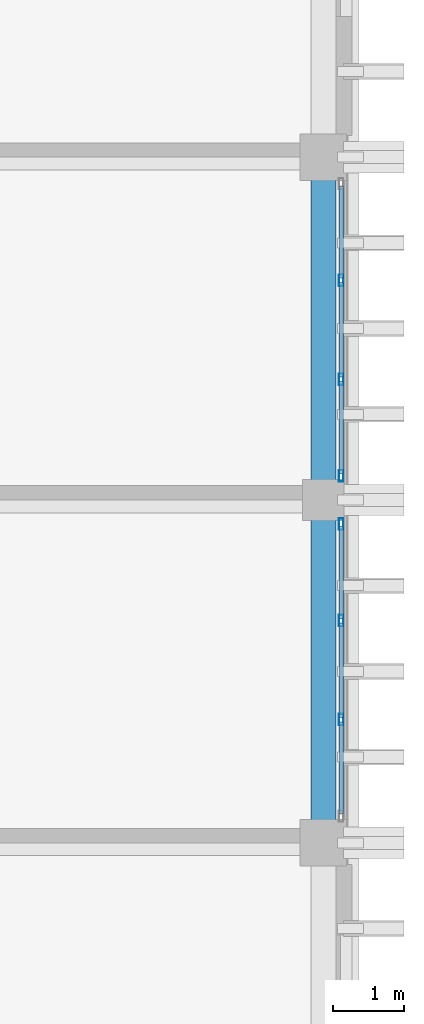
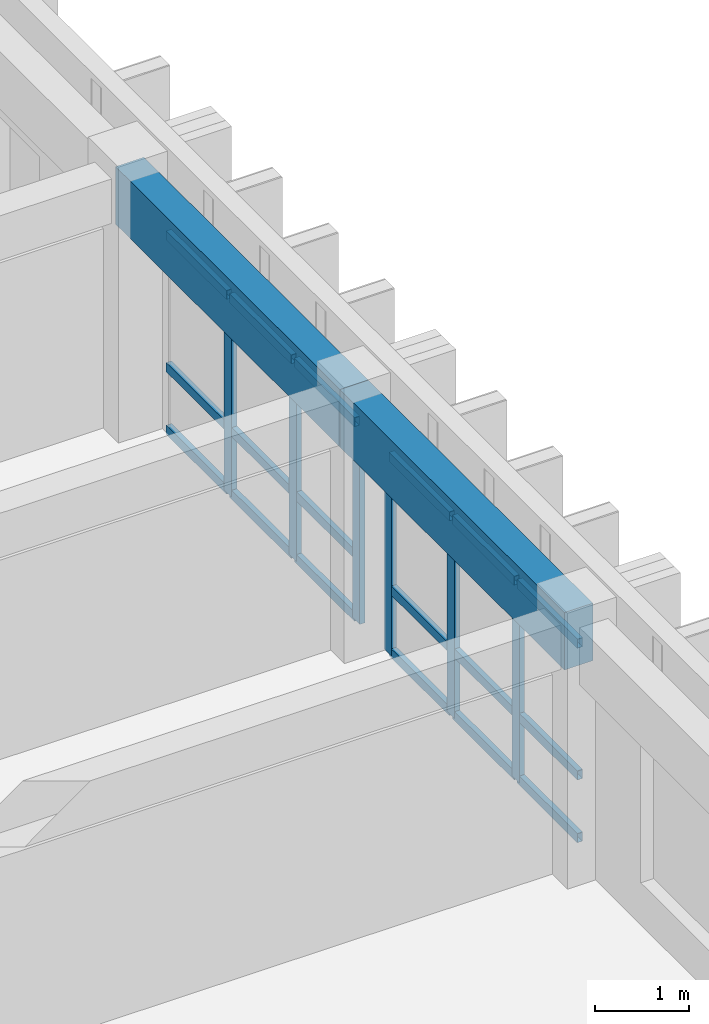
# One storey, part 23 of 49: 24 members, 2 beams, 2 elements without a shape of their own.
"""IFC4 building model written with IfcOpenShell, lengths in metres."""

from ifc_helpers import new_model, si_unit, direction, frame, origin, origin_2d, place, context, subcontext, project, spatial, rectangle, hollow_rectangle, extrude, material, layer, layer_set, material_profile, profile_set, type_object, element, aggregate, save


model = new_model("IFC4")

# Units and contexts
model_context = context("Model", 3, precision=1e-05, world=origin(), true_north=direction((0.0, 1.0)))
body_context = subcontext(model_context, "Body", "Model", "MODEL_VIEW")
ifc_project = project(units=[si_unit("LENGTHUNIT", "METRE"), si_unit("AREAUNIT", "SQUARE_METRE"), si_unit("VOLUMEUNIT", "CUBIC_METRE"), si_unit("PLANEANGLEUNIT", "RADIAN"), si_unit("MASSUNIT", "GRAM", prefix="KILO")], contexts=[model_context])

# Site, building, storey
site_placement = place(None, origin())
site = spatial("IfcSite", under=ifc_project, at=site_placement, CompositionType="ELEMENT")
building_placement = place(site_placement, origin())
building = spatial("IfcBuilding", under=site, at=building_placement, Name="Nakhvara Creek Congress Hotel", CompositionType="ELEMENT")
storey_placement = place(building_placement, frame((0.0, 0.0, 39.0)))
storey = spatial("IfcBuildingStorey", under=building, at=storey_placement, Name="L09", CompositionType="ELEMENT", Elevation=39.0)

# Beams
ifc_material_1 = material(Name="Concrete C40/50", Category="concrete")
ifc_material_profile_1 = material_profile(ifc_material_1, rectangle(XDim=0.35009765625, YDim=0.75, at=origin_2d()), Name="RC-SPANDREL 350x750", Category="LoadBearing")
ifc_profile_set_1 = profile_set([ifc_material_profile_1], Name="Concrete C40/50")
beam_type = type_object("IfcBeamType", Name="BM-SPN-350X750", PredefinedType="SPANDREL", material=ifc_profile_set_1)
for number, where, z_axis, x_axis, name in (
    (1, (179.35009765625, 86.39990234375, 2.985107421875), (0.0, 1.0, 0.0), (-1.0, 0.0, 0.0), "Beam SP1-L09-2603"),
    (2, (179.35009765625, 91.199951171875, 2.985107421875), (0.0, 1.0, 0.0), (-1.0, 0.0, 0.0), "Beam SP1-L09-2604"),
):
    element("IfcBeam", number, at=place(storey_placement, frame(where, z_axis=z_axis, x_axis=x_axis)), inside=storey, type_object=beam_type, Name=name, PredefinedType="SPANDREL", context=body_context, shape_type="SweptSolid", body=[
        extrude(rectangle(XDim=0.35009765625, YDim=0.75, at=origin_2d()), origin(), (0.0, 0.0, 1.0), 4.800048828125),
    ])

# Curtain wall, members
ifc_material_2 = material(Name="Bronze-anodised aluminium AW-6063-T6 and double-silver low-E glass", Category="aluminium")
ifc_layer = layer(ifc_material_2, 0.199951171875)
ifc_layer_set = layer_set([ifc_layer], Name="Bronze-anodised aluminium AW-6063-T6 and double-silver low-E glass")
curtain_wall_type = type_object("IfcCurtainWallType", Name="CW-HTL-UNIT", PredefinedType="USERDEFINED", material=ifc_layer_set)
curtain_wall_1_placement = place(storey_placement, origin())
curtain_wall_1 = element("IfcCurtainWall", 3, at=curtain_wall_1_placement, inside=storey, type_object=curtain_wall_type, Name="Curtain Wall CW303", ObjectType="UNITISED", PredefinedType="USERDEFINED")
ifc_material_3 = material(Name="Bronze-anodised aluminium AW-6063-T6", Category="aluminium")
ifc_material_profile_2 = material_profile(ifc_material_3, hollow_rectangle(XDim=0.06494140625, YDim=0.159912109375, WallThickness=0.00390625, at=origin_2d()), Name="ALU-MULL 65x160x4", Category="LoadBearing")
ifc_profile_set_2 = profile_set([ifc_material_profile_2], Name="Bronze-anodised aluminium AW-6063-T6")
member_type_1 = type_object("IfcMemberType", Name="CW-MULL-160", PredefinedType="MULLION", material=ifc_profile_set_2)
member_1_placement = place(storey_placement, frame((179.60009765625, 90.862548828125, 0.0), z_axis=(0.0, 0.0, 1.0), x_axis=(1.0, 0.0, 0.0)))
member_1 = element("IfcMember", 4, at=member_1_placement, type_object=member_type_1, Name="CW303 mullion 1", PredefinedType="MULLION", context=body_context, shape_type="SweptSolid", body=[
    extrude(hollow_rectangle(XDim=0.06494140625, YDim=0.159912109375, WallThickness=0.00390625, at=origin_2d()), origin(), (0.0, 0.0, 1.0), 2.60205078125),
])
member_2_placement = place(storey_placement, frame((179.60009765625, 89.510009765625, 0.0), z_axis=(0.0, 0.0, 1.0), x_axis=(1.0, 0.0, 0.0)))
member_2 = element("IfcMember", 5, at=member_2_placement, type_object=member_type_1, Name="CW303 mullion 2", PredefinedType="MULLION", context=body_context, shape_type="SweptSolid", body=[
    extrude(hollow_rectangle(XDim=0.06494140625, YDim=0.159912109375, WallThickness=0.00390625, at=origin_2d()), origin(), (0.0, 0.0, 1.0), 2.60205078125),
])
member_3_placement = place(storey_placement, frame((179.60009765625, 88.125, 0.0), z_axis=(0.0, 0.0, 1.0), x_axis=(1.0, 0.0, 0.0)))
member_3 = element("IfcMember", 6, at=member_3_placement, type_object=member_type_1, Name="CW303 mullion 3", PredefinedType="MULLION", context=body_context, shape_type="SweptSolid", body=[
    extrude(hollow_rectangle(XDim=0.06494140625, YDim=0.159912109375, WallThickness=0.00390625, at=origin_2d()), origin(), (0.0, 0.0, 1.0), 2.60205078125),
])

curtain_wall_2_placement = place(storey_placement, origin())
curtain_wall_2 = element("IfcCurtainWall", 7, at=curtain_wall_2_placement, inside=storey, type_object=curtain_wall_type, Name="Curtain Wall CW305", ObjectType="UNITISED", PredefinedType="USERDEFINED")
member_4_placement = place(storey_placement, frame((179.60009765625, 94.27490234375, 0.0), z_axis=(0.0, 0.0, 1.0), x_axis=(1.0, 0.0, 0.0)))
member_4 = element("IfcMember", 8, at=member_4_placement, type_object=member_type_1, Name="CW305 mullion 2", PredefinedType="MULLION", context=body_context, shape_type="SweptSolid", body=[
    extrude(hollow_rectangle(XDim=0.06494140625, YDim=0.159912109375, WallThickness=0.00390625, at=origin_2d()), origin(), (0.0, 0.0, 1.0), 2.60205078125),
])
member_5_placement = place(storey_placement, frame((179.60009765625, 92.889892578125, 0.0), z_axis=(0.0, 0.0, 1.0), x_axis=(1.0, 0.0, 0.0)))
member_5 = element("IfcMember", 9, at=member_5_placement, type_object=member_type_1, Name="CW305 mullion 3", PredefinedType="MULLION", context=body_context, shape_type="SweptSolid", body=[
    extrude(hollow_rectangle(XDim=0.06494140625, YDim=0.159912109375, WallThickness=0.00390625, at=origin_2d()), origin(), (0.0, 0.0, 1.0), 2.60205078125),
])
member_6_placement = place(storey_placement, frame((179.60009765625, 91.53759765625, 0.0), z_axis=(0.0, 0.0, 1.0), x_axis=(1.0, 0.0, 0.0)))
member_6 = element("IfcMember", 10, at=member_6_placement, type_object=member_type_1, Name="CW305 mullion 4", PredefinedType="MULLION", context=body_context, shape_type="SweptSolid", body=[
    extrude(hollow_rectangle(XDim=0.06494140625, YDim=0.159912109375, WallThickness=0.00390625, at=origin_2d()), origin(), (0.0, 0.0, 1.0), 2.60205078125),
])

# Member
ifc_material_profile_3 = material_profile(ifc_material_3, hollow_rectangle(XDim=0.06494140625, YDim=0.1201171875, WallThickness=0.00390625, at=origin_2d()), Name="ALU-TRAN 65x120x4", Category="LoadBearing")
ifc_profile_set_3 = profile_set([ifc_material_profile_3], Name="Bronze-anodised aluminium AW-6063-T6")
member_type_2 = type_object("IfcMemberType", Name="CW-TRAN-120", PredefinedType="USERDEFINED", material=ifc_profile_set_3)
member_7_placement = place(storey_placement, frame((179.60009765625, 90.830078125, 0.032470703125), z_axis=(0.0, -1.0, 0.0), x_axis=(1.0, 0.0, 0.0)))
member_7 = element("IfcMember", 11, at=member_7_placement, type_object=member_type_2, Name="CW303 transom 1.1", ObjectType="TRANSOM", PredefinedType="USERDEFINED", context=body_context, shape_type="SweptSolid", body=[
    extrude(hollow_rectangle(XDim=0.06494140625, YDim=0.1201171875, WallThickness=0.00390625, at=origin_2d()), origin(), (0.0, 0.0, 1.0), 1.28759765625),
])

member_8_placement = place(storey_placement, frame((179.60009765625, 90.830078125, 0.85009765625), z_axis=(0.0, -1.0, 0.0), x_axis=(1.0, 0.0, 0.0)))
member_8 = element("IfcMember", 12, at=member_8_placement, type_object=member_type_2, Name="CW303 transom 1.2", ObjectType="TRANSOM", PredefinedType="USERDEFINED", context=body_context, shape_type="SweptSolid", body=[
    extrude(hollow_rectangle(XDim=0.06494140625, YDim=0.1201171875, WallThickness=0.00390625, at=origin_2d()), origin(), (0.0, 0.0, 1.0), 1.28759765625),
])

member_9_placement = place(storey_placement, frame((179.60009765625, 90.830078125, 2.569580078125), z_axis=(0.0, -1.0, 0.0), x_axis=(1.0, 0.0, 0.0)))
member_9 = element("IfcMember", 13, at=member_9_placement, type_object=member_type_2, Name="CW303 transom 1.3", ObjectType="TRANSOM", PredefinedType="USERDEFINED", context=body_context, shape_type="SweptSolid", body=[
    extrude(hollow_rectangle(XDim=0.06494140625, YDim=0.1201171875, WallThickness=0.00390625, at=origin_2d()), origin(), (0.0, 0.0, 1.0), 1.28759765625),
])

member_10_placement = place(storey_placement, frame((179.60009765625, 89.4775390625, 0.032470703125), z_axis=(0.0, -1.0, 0.0), x_axis=(1.0, 0.0, 0.0)))
member_10 = element("IfcMember", 14, at=member_10_placement, type_object=member_type_2, Name="CW303 transom 2.1", ObjectType="TRANSOM", PredefinedType="USERDEFINED", context=body_context, shape_type="SweptSolid", body=[
    extrude(hollow_rectangle(XDim=0.06494140625, YDim=0.1201171875, WallThickness=0.00390625, at=origin_2d()), origin(), (0.0, 0.0, 1.0), 1.320068359375),
])

member_11_placement = place(storey_placement, frame((179.60009765625, 89.4775390625, 0.85009765625), z_axis=(0.0, -1.0, 0.0), x_axis=(1.0, 0.0, 0.0)))
member_11 = element("IfcMember", 15, at=member_11_placement, type_object=member_type_2, Name="CW303 transom 2.2", ObjectType="TRANSOM", PredefinedType="USERDEFINED", context=body_context, shape_type="SweptSolid", body=[
    extrude(hollow_rectangle(XDim=0.06494140625, YDim=0.1201171875, WallThickness=0.00390625, at=origin_2d()), origin(), (0.0, 0.0, 1.0), 1.320068359375),
])

member_12_placement = place(storey_placement, frame((179.60009765625, 89.4775390625, 2.569580078125), z_axis=(0.0, -1.0, 0.0), x_axis=(1.0, 0.0, 0.0)))
member_12 = element("IfcMember", 16, at=member_12_placement, type_object=member_type_2, Name="CW303 transom 2.3", ObjectType="TRANSOM", PredefinedType="USERDEFINED", context=body_context, shape_type="SweptSolid", body=[
    extrude(hollow_rectangle(XDim=0.06494140625, YDim=0.1201171875, WallThickness=0.00390625, at=origin_2d()), origin(), (0.0, 0.0, 1.0), 1.320068359375),
])

member_13_placement = place(storey_placement, frame((179.60009765625, 88.092529296875, 0.032470703125), z_axis=(0.0, -1.0, 0.0), x_axis=(1.0, 0.0, 0.0)))
member_13 = element("IfcMember", 17, at=member_13_placement, type_object=member_type_2, Name="CW303 transom 3.1", ObjectType="TRANSOM", PredefinedType="USERDEFINED", context=body_context, shape_type="SweptSolid", body=[
    extrude(hollow_rectangle(XDim=0.06494140625, YDim=0.1201171875, WallThickness=0.00390625, at=origin_2d()), origin(), (0.0, 0.0, 1.0), 1.28759765625),
])

member_14_placement = place(storey_placement, frame((179.60009765625, 88.092529296875, 0.85009765625), z_axis=(0.0, -1.0, 0.0), x_axis=(1.0, 0.0, 0.0)))
member_14 = element("IfcMember", 18, at=member_14_placement, type_object=member_type_2, Name="CW303 transom 3.2", ObjectType="TRANSOM", PredefinedType="USERDEFINED", context=body_context, shape_type="SweptSolid", body=[
    extrude(hollow_rectangle(XDim=0.06494140625, YDim=0.1201171875, WallThickness=0.00390625, at=origin_2d()), origin(), (0.0, 0.0, 1.0), 1.28759765625),
])

member_15_placement = place(storey_placement, frame((179.60009765625, 88.092529296875, 2.569580078125), z_axis=(0.0, -1.0, 0.0), x_axis=(1.0, 0.0, 0.0)))
member_15 = element("IfcMember", 19, at=member_15_placement, type_object=member_type_2, Name="CW303 transom 3.3", ObjectType="TRANSOM", PredefinedType="USERDEFINED", context=body_context, shape_type="SweptSolid", body=[
    extrude(hollow_rectangle(XDim=0.06494140625, YDim=0.1201171875, WallThickness=0.00390625, at=origin_2d()), origin(), (0.0, 0.0, 1.0), 1.28759765625),
])

aggregate(curtain_wall_1, [member_1, member_2, member_3, member_7, member_8, member_9, member_10, member_11, member_12, member_13, member_14, member_15])

member_16_placement = place(storey_placement, frame((179.60009765625, 95.594970703125, 0.032470703125), z_axis=(0.0, -1.0, 0.0), x_axis=(1.0, 0.0, 0.0)))
member_16 = element("IfcMember", 20, at=member_16_placement, type_object=member_type_2, Name="CW305 transom 1.1", ObjectType="TRANSOM", PredefinedType="USERDEFINED", context=body_context, shape_type="SweptSolid", body=[
    extrude(hollow_rectangle(XDim=0.06494140625, YDim=0.1201171875, WallThickness=0.00390625, at=origin_2d()), origin(), (0.0, 0.0, 1.0), 1.287353515625),
])

member_17_placement = place(storey_placement, frame((179.60009765625, 95.594970703125, 0.85009765625), z_axis=(0.0, -1.0, 0.0), x_axis=(1.0, 0.0, 0.0)))
member_17 = element("IfcMember", 21, at=member_17_placement, type_object=member_type_2, Name="CW305 transom 1.2", ObjectType="TRANSOM", PredefinedType="USERDEFINED", context=body_context, shape_type="SweptSolid", body=[
    extrude(hollow_rectangle(XDim=0.06494140625, YDim=0.1201171875, WallThickness=0.00390625, at=origin_2d()), origin(), (0.0, 0.0, 1.0), 1.287353515625),
])

member_18_placement = place(storey_placement, frame((179.60009765625, 95.594970703125, 2.569580078125), z_axis=(0.0, -1.0, 0.0), x_axis=(1.0, 0.0, 0.0)))
member_18 = element("IfcMember", 22, at=member_18_placement, type_object=member_type_2, Name="CW305 transom 1.3", ObjectType="TRANSOM", PredefinedType="USERDEFINED", context=body_context, shape_type="SweptSolid", body=[
    extrude(hollow_rectangle(XDim=0.06494140625, YDim=0.1201171875, WallThickness=0.00390625, at=origin_2d()), origin(), (0.0, 0.0, 1.0), 1.287353515625),
])

member_19_placement = place(storey_placement, frame((179.60009765625, 94.242431640625, 0.032470703125), z_axis=(0.0, -1.0, 0.0), x_axis=(1.0, 0.0, 0.0)))
member_19 = element("IfcMember", 23, at=member_19_placement, type_object=member_type_2, Name="CW305 transom 2.1", ObjectType="TRANSOM", PredefinedType="USERDEFINED", context=body_context, shape_type="SweptSolid", body=[
    extrude(hollow_rectangle(XDim=0.06494140625, YDim=0.1201171875, WallThickness=0.00390625, at=origin_2d()), origin(), (0.0, 0.0, 1.0), 1.31982421875),
])

member_20_placement = place(storey_placement, frame((179.60009765625, 94.242431640625, 0.85009765625), z_axis=(0.0, -1.0, 0.0), x_axis=(1.0, 0.0, 0.0)))
member_20 = element("IfcMember", 24, at=member_20_placement, type_object=member_type_2, Name="CW305 transom 2.2", ObjectType="TRANSOM", PredefinedType="USERDEFINED", context=body_context, shape_type="SweptSolid", body=[
    extrude(hollow_rectangle(XDim=0.06494140625, YDim=0.1201171875, WallThickness=0.00390625, at=origin_2d()), origin(), (0.0, 0.0, 1.0), 1.31982421875),
])

member_21_placement = place(storey_placement, frame((179.60009765625, 94.242431640625, 2.569580078125), z_axis=(0.0, -1.0, 0.0), x_axis=(1.0, 0.0, 0.0)))
member_21 = element("IfcMember", 25, at=member_21_placement, type_object=member_type_2, Name="CW305 transom 2.3", ObjectType="TRANSOM", PredefinedType="USERDEFINED", context=body_context, shape_type="SweptSolid", body=[
    extrude(hollow_rectangle(XDim=0.06494140625, YDim=0.1201171875, WallThickness=0.00390625, at=origin_2d()), origin(), (0.0, 0.0, 1.0), 1.31982421875),
])

member_22_placement = place(storey_placement, frame((179.60009765625, 92.857421875, 0.032470703125), z_axis=(0.0, -1.0, 0.0), x_axis=(1.0, 0.0, 0.0)))
member_22 = element("IfcMember", 26, at=member_22_placement, type_object=member_type_2, Name="CW305 transom 3.1", ObjectType="TRANSOM", PredefinedType="USERDEFINED", context=body_context, shape_type="SweptSolid", body=[
    extrude(hollow_rectangle(XDim=0.06494140625, YDim=0.1201171875, WallThickness=0.00390625, at=origin_2d()), origin(), (0.0, 0.0, 1.0), 1.287353515625),
])

member_23_placement = place(storey_placement, frame((179.60009765625, 92.857421875, 0.85009765625), z_axis=(0.0, -1.0, 0.0), x_axis=(1.0, 0.0, 0.0)))
member_23 = element("IfcMember", 27, at=member_23_placement, type_object=member_type_2, Name="CW305 transom 3.2", ObjectType="TRANSOM", PredefinedType="USERDEFINED", context=body_context, shape_type="SweptSolid", body=[
    extrude(hollow_rectangle(XDim=0.06494140625, YDim=0.1201171875, WallThickness=0.00390625, at=origin_2d()), origin(), (0.0, 0.0, 1.0), 1.287353515625),
])

member_24_placement = place(storey_placement, frame((179.60009765625, 92.857421875, 2.569580078125), z_axis=(0.0, -1.0, 0.0), x_axis=(1.0, 0.0, 0.0)))
member_24 = element("IfcMember", 28, at=member_24_placement, type_object=member_type_2, Name="CW305 transom 3.3", ObjectType="TRANSOM", PredefinedType="USERDEFINED", context=body_context, shape_type="SweptSolid", body=[
    extrude(hollow_rectangle(XDim=0.06494140625, YDim=0.1201171875, WallThickness=0.00390625, at=origin_2d()), origin(), (0.0, 0.0, 1.0), 1.287353515625),
])

aggregate(curtain_wall_2, [member_4, member_5, member_6, member_16, member_17, member_18, member_19, member_20, member_21, member_22, member_23, member_24])

save(model, "model.ifc")
